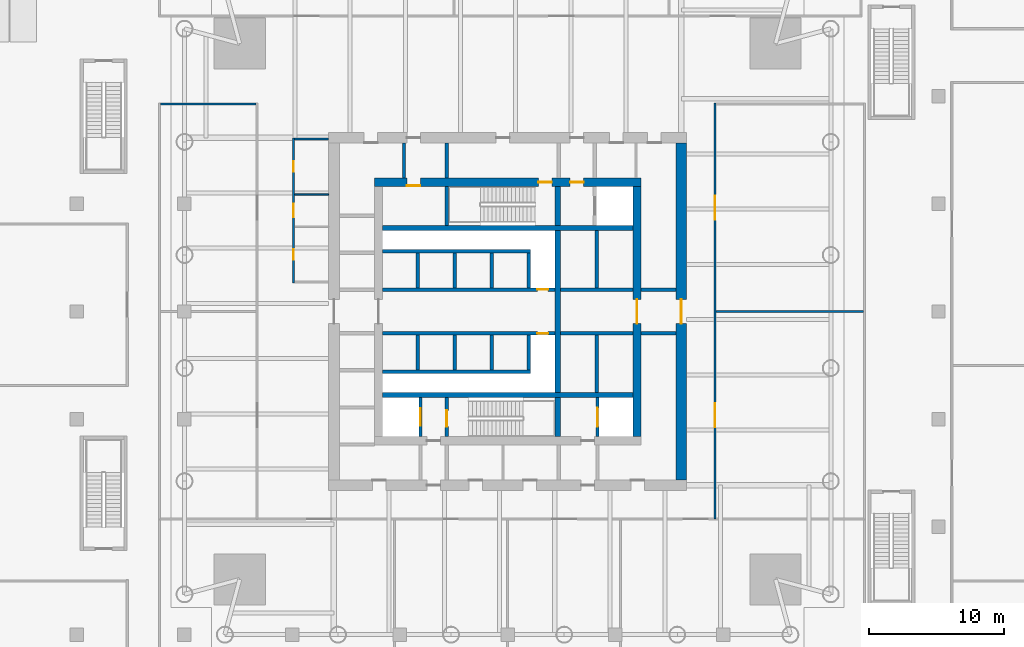
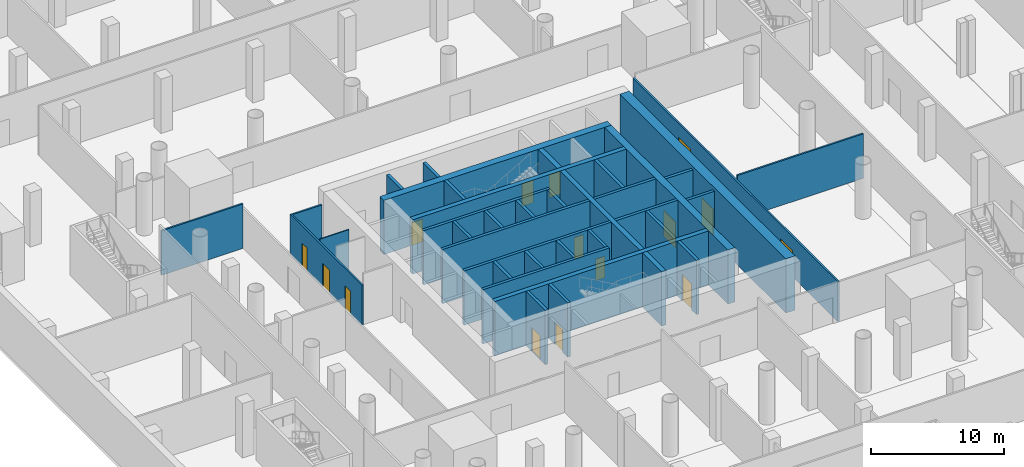
# One storey, part 9 of 22: 38 walls, 15 doors, 15 openings.
"""IFC4 building model written with IfcOpenShell, lengths in metres."""

from ifc_helpers import new_model, si_unit, direction, frame, frame_2d, origin, place, context, subcontext, project, spatial, rectangle, extrude, material, layer, layer_set, type_object, element, fill, save


model = new_model("IFC4")

# Units and contexts
model_context = context("Model", 3, precision=1e-05, world=origin(), true_north=direction((0.0, 1.0)))
body_context = subcontext(model_context, "Body", "Model", "MODEL_VIEW")
ifc_project = project(units=[si_unit("LENGTHUNIT", "METRE"), si_unit("AREAUNIT", "SQUARE_METRE"), si_unit("VOLUMEUNIT", "CUBIC_METRE"), si_unit("PLANEANGLEUNIT", "RADIAN"), si_unit("MASSUNIT", "GRAM", prefix="KILO")], contexts=[model_context])

# Site, building, storey
site_placement = place(None, origin())
site = spatial("IfcSite", under=ifc_project, at=site_placement, CompositionType="ELEMENT")
building_placement = place(site_placement, origin())
building = spatial("IfcBuilding", under=site, at=building_placement, Name="Ostroluk Exchange", CompositionType="ELEMENT")
storey_placement = place(building_placement, frame((0.0, 0.0, -5.0)))
storey = spatial("IfcBuildingStorey", under=building, at=storey_placement, Name="B1", CompositionType="ELEMENT", Elevation=-5.0)

# Walls
ifc_material_1 = material(Name="Concrete blockwork", Category="masonry")
ifc_layer_1 = layer(ifc_material_1, 0.10009765625)
ifc_layer_set_1 = layer_set([ifc_layer_1], Name="Blockwork WC wall 100")
wall_type_1 = type_object("IfcWallType", Name="Blockwork WC wall 100", PredefinedType="SOLIDWALL", material=ifc_layer_set_1)
wall_1_placement = place(storey_placement, frame((29.175048828125, 54.699951171875, 0.0), z_axis=(0.0, 0.0, 1.0), x_axis=(1.0, 0.0, 0.0)))
element("IfcWall", 1, at=wall_1_placement, inside=storey, type_object=wall_type_1, Name="Blockwork WC wall", PredefinedType="SOLIDWALL", context=body_context, shape_type="SweptSolid", body=[
    extrude(rectangle(XDim=2.52490234375, YDim=0.10009765625, at=frame_2d((1.262451171875, 0.0))), origin(), (0.0, 0.0, 1.0), 3.89990234375),
])
ifc_material_2 = material(Name="Concrete blockwork", Category="masonry")
ifc_layer_2 = layer(ifc_material_2, 0.25)
ifc_layer_set_2 = layer_set([ifc_layer_2], Name="Blockwork stair enclosure wall 250")
wall_type_2 = type_object("IfcWallType", Name="Blockwork stair enclosure wall 250", PredefinedType="SOLIDWALL", material=ifc_layer_set_2)
for number, where, z_axis, x_axis, name in (
    (2, (54.89990234375, 44.375, 0.0), (0.0, 0.0, 1.0), (1.0, 0.0, 0.0), "Lift lobby enclosure wall"),
    (3, (54.89990234375, 47.625, 0.0), (0.0, 0.0, 1.0), (1.0, 0.0, 0.0), "Lift lobby enclosure wall"),
    (4, (40.47509765625, 55.89990234375, 0.0), (0.0, 0.0, 1.0), (0.0, 1.0, 0.0), "Stair lobby enclosure wall"),
    (5, (37.300048828125, 55.89990234375, 0.0), (0.0, 0.0, 1.0), (0.0, 1.0, 0.0), "Core corridor wall"),
):
    element("IfcWall", number, at=place(storey_placement, frame(where, z_axis=z_axis, x_axis=x_axis)), inside=storey, type_object=wall_type_2, Name=name, PredefinedType="SOLIDWALL", context=body_context, shape_type="SweptSolid", body=[
        extrude(rectangle(XDim=2.60009765625, YDim=0.25, at=frame_2d((1.300048828125, 0.0))), origin(), (0.0, 0.0, 1.0), 4.699951171875),
    ])
ifc_material_3 = material(Name="Concrete C50/60", Category="concrete")
ifc_layer_3 = layer(ifc_material_3, 0.39990234375)
ifc_layer_set_3 = layer_set([ifc_layer_3], Name="Core cross wall 400 C50/60")
wall_type_3 = type_object("IfcWallType", Name="Core cross wall 400 C50/60", PredefinedType="SHEAR", material=ifc_layer_set_3)
for number, where, z_axis, x_axis, name in (
    (6, (35.699951171875, 39.800048828125, 0.0), (0.0, 0.0, 1.0), (1.0, 0.0, 0.0), "T1 core wall XS"),
    (7, (35.699951171875, 52.199951171875, 0.0), (0.0, 0.0, 1.0), (1.0, 0.0, 0.0), "T1 core wall XN"),
):
    element("IfcWall", number, at=place(storey_placement, frame(where, z_axis=z_axis, x_axis=x_axis)), inside=storey, type_object=wall_type_3, Name=name, PredefinedType="SHEAR", context=body_context, shape_type="SweptSolid", body=[
        extrude(rectangle(XDim=18.60009765625, YDim=0.39990234375, at=frame_2d((9.300048828125, 0.0))), origin(), (0.0, 0.0, 1.0), 5.0),
    ])
wall_2_placement = place(storey_placement, frame((48.72998046875, 36.699951171875, 0.0), z_axis=(0.0, 0.0, 1.0), x_axis=(0.0, 1.0, 0.0)))
element("IfcWall", 8, at=wall_2_placement, inside=storey, type_object=wall_type_3, Name="T1 core wall YE1", PredefinedType="SHEAR", context=body_context, shape_type="SweptSolid", body=[
    extrude(rectangle(XDim=2.900146484375, YDim=0.39990234375, at=frame_2d((1.4501953125, 0.0))), origin(), (0.0, 0.0, 1.0), 5.0),
])
wall_3_placement = place(storey_placement, frame((48.72998046875, 40.0, 0.0), z_axis=(0.0, 0.0, 1.0), x_axis=(0.0, 1.0, 0.0)))
element("IfcWall", 9, at=wall_3_placement, inside=storey, type_object=wall_type_3, Name="T1 core wall YE2", PredefinedType="SHEAR", context=body_context, shape_type="SweptSolid", body=[
    extrude(rectangle(XDim=12.0, YDim=0.39990234375, at=frame_2d((6.0, 0.0))), origin(), (0.0, 0.0, 1.0), 5.0),
])
wall_4_placement = place(storey_placement, frame((48.72998046875, 52.39990234375, 0.0), z_axis=(0.0, 0.0, 1.0), x_axis=(0.0, 1.0, 0.0)))
element("IfcWall", 10, at=wall_4_placement, inside=storey, type_object=wall_type_3, Name="T1 core wall YE3", PredefinedType="SHEAR", context=body_context, shape_type="SweptSolid", body=[
    extrude(rectangle(XDim=2.900146484375, YDim=0.39990234375, at=frame_2d((1.4501953125, 0.0))), origin(), (0.0, 0.0, 1.0), 5.0),
])

# Wall, opening, door
ifc_material_4 = material(Name="Concrete C40/50", Category="concrete")
ifc_layer_4 = layer(ifc_material_4, 0.25)
ifc_layer_set_4 = layer_set([ifc_layer_4], Name="Core shaft wall 250")
wall_type_4 = type_object("IfcWallType", Name="Core shaft wall 250", PredefinedType="SHEAR", material=ifc_layer_set_4)
wall_5_placement = place(storey_placement, frame((38.52490234375, 36.699951171875, 0.0), z_axis=(0.0, 0.0, 1.0), x_axis=(0.0, 1.0, 0.0)))
wall_5 = element("IfcWall", 11, at=wall_5_placement, inside=storey, type_object=wall_type_4, Name="Firefighting lift shaft wall", PredefinedType="SHEAR", context=body_context, shape_type="SweptSolid", body=[
    extrude(rectangle(XDim=2.900146484375, YDim=0.25, at=frame_2d((1.4501953125, 0.0))), origin(), (0.0, 0.0, 1.0), 5.0),
])
opening_1_placement = place(wall_5_placement, frame((0.800048828125, 0.0, 0.0)))
opening_1 = element("IfcOpeningElement", 12, at=opening_1_placement, cuts=wall_5, Name="Opening LD2", PredefinedType="OPENING", context=body_context, shape_type="SweptSolid", body=[
    extrude(rectangle(XDim=1.300048828125, YDim=2.199951171875, at=frame_2d((0.64990234375, 1.10009765625))), frame((0.0, 0.135009765625, 0.0), z_axis=(0.0, -1.0, 0.0), x_axis=(1.0, 0.0, 0.0)), (0.0, 0.0, 1.0), 0.27001953125),
])
ifc_material_5 = material(Name="Stainless steel", Category="steel")
door_type_1 = type_object("IfcDoorType", Name="Lift landing door E 60 1300 x 2200", OperationType="DOUBLE_DOOR_SLIDING", PredefinedType="DOOR", material=ifc_material_5)
door_1_placement = place(opening_1_placement, origin())
door_1 = element("IfcDoor", 13, at=door_1_placement, inside=storey, type_object=door_type_1, Name="Lift FL1 landing door", OperationType="DOUBLE_DOOR_SLIDING", OverallHeight=2.199951171875, OverallWidth=1.300048828125, PredefinedType="DOOR", context=body_context, shape_type="SweptSolid", body=[
    extrude(rectangle(XDim=1.300048828125, YDim=2.199951171875, at=frame_2d((0.64990234375, 1.10009765625))), frame((0.0, 0.02490234375, 0.0), z_axis=(0.0, -1.0, 0.0), x_axis=(1.0, 0.0, 0.0)), (0.0, 0.0, 1.0), 0.050048828125),
])
fill(opening_1, door_1)

wall_6_placement = place(storey_placement, frame((40.47509765625, 36.699951171875, 0.0), z_axis=(0.0, 0.0, 1.0), x_axis=(0.0, 1.0, 0.0)))
wall_6 = element("IfcWall", 14, at=wall_6_placement, inside=storey, type_object=wall_type_4, Name="Stair shaft wall", PredefinedType="SHEAR", context=body_context, shape_type="SweptSolid", body=[
    extrude(rectangle(XDim=2.900146484375, YDim=0.25, at=frame_2d((1.4501953125, 0.0))), origin(), (0.0, 0.0, 1.0), 5.0),
])
opening_2_placement = place(wall_6_placement, frame((0.75, 0.0, 0.0)))
opening_2 = element("IfcOpeningElement", 15, at=opening_2_placement, cuts=wall_6, Name="Opening FD60S", PredefinedType="OPENING", context=body_context, shape_type="SweptSolid", body=[
    extrude(rectangle(XDim=1.199951171875, YDim=2.10009765625, at=frame_2d((0.60009765625, 1.050048828125))), frame((0.0, 0.135009765625, 0.0), z_axis=(0.0, -1.0, 0.0), x_axis=(1.0, 0.0, 0.0)), (0.0, 0.0, 1.0), 0.27001953125),
])
ifc_material_6 = material(Name="Steel", Category="steel")
door_type_2 = type_object("IfcDoorType", Name="Stair door EI 60 1200 x 2100", OperationType="SINGLE_SWING_LEFT", PredefinedType="DOOR", material=ifc_material_6)
door_2_placement = place(opening_2_placement, origin())
door_2 = element("IfcDoor", 16, at=door_2_placement, inside=storey, type_object=door_type_2, Name="Stair T1-S1 door", OperationType="SINGLE_SWING_LEFT", OverallHeight=2.10009765625, OverallWidth=1.199951171875, PredefinedType="DOOR", context=body_context, shape_type="SweptSolid", body=[
    extrude(rectangle(XDim=1.199951171875, YDim=2.10009765625, at=frame_2d((0.60009765625, 1.050048828125))), frame((0.0, 0.02490234375, 0.0), z_axis=(0.0, -1.0, 0.0), x_axis=(1.0, 0.0, 0.0)), (0.0, 0.0, 1.0), 0.050048828125),
])
fill(opening_2, door_2)

wall_7_placement = place(storey_placement, frame((51.675048828125, 36.699951171875, 0.0), z_axis=(0.0, 0.0, 1.0), x_axis=(0.0, 1.0, 0.0)))
wall_7 = element("IfcWall", 17, at=wall_7_placement, inside=storey, type_object=wall_type_4, Name="Service lift shaft wall", PredefinedType="SHEAR", context=body_context, shape_type="SweptSolid", body=[
    extrude(rectangle(XDim=2.900146484375, YDim=0.25, at=frame_2d((1.4501953125, 0.0))), origin(), (0.0, 0.0, 1.0), 5.0),
])
opening_3_placement = place(wall_7_placement, frame((0.75, 0.0, 0.0)))
opening_3 = element("IfcOpeningElement", 18, at=opening_3_placement, cuts=wall_7, Name="Opening LD3", PredefinedType="OPENING", context=body_context, shape_type="SweptSolid", body=[
    extrude(rectangle(XDim=1.39990234375, YDim=2.39990234375, at=frame_2d((0.699951171875, 1.199951171875))), frame((0.0, 0.135009765625, 0.0), z_axis=(0.0, -1.0, 0.0), x_axis=(1.0, 0.0, 0.0)), (0.0, 0.0, 1.0), 0.27001953125),
])
ifc_material_7 = material(Name="Stainless steel", Category="steel")
door_type_3 = type_object("IfcDoorType", Name="Goods lift landing door E 60 1400 x 2400", OperationType="DOUBLE_DOOR_SLIDING", PredefinedType="DOOR", material=ifc_material_7)
door_3_placement = place(opening_3_placement, origin())
door_3 = element("IfcDoor", 19, at=door_3_placement, inside=storey, type_object=door_type_3, Name="Lift SL1 landing door", OperationType="DOUBLE_DOOR_SLIDING", OverallHeight=2.39990234375, OverallWidth=1.39990234375, PredefinedType="DOOR", context=body_context, shape_type="SweptSolid", body=[
    extrude(rectangle(XDim=1.39990234375, YDim=2.39990234375, at=frame_2d((0.699951171875, 1.199951171875))), frame((0.0, 0.02490234375, 0.0), z_axis=(0.0, -1.0, 0.0), x_axis=(1.0, 0.0, 0.0)), (0.0, 0.0, 1.0), 0.050048828125),
])
fill(opening_3, door_3)

# Walls
wall_8_placement = place(storey_placement, frame((40.47509765625, 52.39990234375, 0.0), z_axis=(0.0, 0.0, 1.0), x_axis=(0.0, 1.0, 0.0)))
element("IfcWall", 20, at=wall_8_placement, inside=storey, type_object=wall_type_4, Name="Stair shaft wall", PredefinedType="SHEAR", context=body_context, shape_type="SweptSolid", body=[
    extrude(rectangle(XDim=2.900146484375, YDim=0.25, at=frame_2d((1.4501953125, 0.0))), origin(), (0.0, 0.0, 1.0), 5.0),
])
for number, where, z_axis, x_axis, name in (
    (21, (38.324951171875, 47.75, 0.0), (0.0, 0.0, 1.0), (0.0, 1.0, 0.0), "Lift shaft wall"),
    (22, (41.074951171875, 47.75, 0.0), (0.0, 0.0, 1.0), (0.0, 1.0, 0.0), "Lift shaft wall"),
    (23, (43.824951171875, 47.75, 0.0), (0.0, 0.0, 1.0), (0.0, 1.0, 0.0), "Lift shaft wall"),
    (24, (46.574951171875, 47.75, 0.0), (0.0, 0.0, 1.0), (0.0, 1.0, 0.0), "Lift shaft wall"),
):
    element("IfcWall", number, at=place(storey_placement, frame(where, z_axis=z_axis, x_axis=x_axis)), inside=storey, type_object=wall_type_4, Name=name, PredefinedType="SHEAR", context=body_context, shape_type="SweptSolid", body=[
        extrude(rectangle(XDim=2.60009765625, YDim=0.25, at=frame_2d((1.300048828125, 0.0))), origin(), (0.0, 0.0, 1.0), 5.0),
    ])
wall_9_placement = place(storey_placement, frame((35.699951171875, 50.47509765625, 0.0), z_axis=(0.0, 0.0, 1.0), x_axis=(1.0, 0.0, 0.0)))
element("IfcWall", 25, at=wall_9_placement, inside=storey, type_object=wall_type_4, Name="Lift shaft wall", PredefinedType="SHEAR", context=body_context, shape_type="SweptSolid", body=[
    extrude(rectangle(XDim=11.0, YDim=0.25, at=frame_2d((5.5, 0.0))), origin(), (0.0, 0.0, 1.0), 5.0),
])

# Wall, opening, door
wall_10_placement = place(storey_placement, frame((35.699951171875, 47.625, 0.0), z_axis=(0.0, 0.0, 1.0), x_axis=(1.0, 0.0, 0.0)))
wall_10 = element("IfcWall", 26, at=wall_10_placement, inside=storey, type_object=wall_type_4, Name="Lift shaft front wall", PredefinedType="SHEAR", context=body_context, shape_type="SweptSolid", body=[
    extrude(rectangle(XDim=12.830078125, YDim=0.25, at=frame_2d((6.4150390625, 0.0))), origin(), (0.0, 0.0, 1.0), 5.0),
])
opening_4_placement = place(wall_10_placement, frame((11.514892578125, 0.0, 0.0)))
opening_4 = element("IfcOpeningElement", 27, at=opening_4_placement, cuts=wall_10, Name="Opening RD60", PredefinedType="OPENING", context=body_context, shape_type="SweptSolid", body=[
    extrude(rectangle(XDim=0.800048828125, YDim=2.0, at=frame_2d((0.39990234375, 1.0))), frame((0.0, 0.135009765625, 0.0), z_axis=(0.0, -1.0, 0.0), x_axis=(1.0, 0.0, 0.0)), (0.0, 0.0, 1.0), 0.27001953125),
])
ifc_material_8 = material(Name="Steel", Category="steel")
door_type_4 = type_object("IfcDoorType", Name="Riser access door EI 60 800 x 2000", OperationType="SINGLE_SWING_LEFT", PredefinedType="DOOR", material=ifc_material_8)
door_4_placement = place(opening_4_placement, origin())
door_4 = element("IfcDoor", 28, at=door_4_placement, inside=storey, type_object=door_type_4, Name="Riser access door", OperationType="SINGLE_SWING_RIGHT", OverallHeight=2.0, OverallWidth=0.800048828125, PredefinedType="DOOR", context=body_context, shape_type="SweptSolid", body=[
    extrude(rectangle(XDim=0.800048828125, YDim=2.0, at=frame_2d((0.39990234375, 1.0))), frame((0.0, 0.02490234375, 0.0), z_axis=(0.0, -1.0, 0.0), x_axis=(1.0, 0.0, 0.0)), (0.0, 0.0, 1.0), 0.050048828125),
])
fill(opening_4, door_4)

# Walls
for number, where, z_axis, x_axis, name in (
    (29, (38.324951171875, 44.25, 0.0), (0.0, 0.0, 1.0), (0.0, -1.0, 0.0), "Lift shaft wall"),
    (30, (41.074951171875, 44.25, 0.0), (0.0, 0.0, 1.0), (0.0, -1.0, 0.0), "Lift shaft wall"),
    (31, (43.824951171875, 44.25, 0.0), (0.0, 0.0, 1.0), (0.0, -1.0, 0.0), "Lift shaft wall"),
    (32, (46.574951171875, 44.25, 0.0), (0.0, 0.0, 1.0), (0.0, -1.0, 0.0), "Lift shaft wall"),
):
    element("IfcWall", number, at=place(storey_placement, frame(where, z_axis=z_axis, x_axis=x_axis)), inside=storey, type_object=wall_type_4, Name=name, PredefinedType="SHEAR", context=body_context, shape_type="SweptSolid", body=[
        extrude(rectangle(XDim=2.60009765625, YDim=0.25, at=frame_2d((1.300048828125, 0.0))), origin(), (0.0, 0.0, 1.0), 5.0),
    ])
wall_11_placement = place(storey_placement, frame((35.699951171875, 41.52490234375, 0.0), z_axis=(0.0, 0.0, 1.0), x_axis=(1.0, 0.0, 0.0)))
element("IfcWall", 33, at=wall_11_placement, inside=storey, type_object=wall_type_4, Name="Lift shaft wall", PredefinedType="SHEAR", context=body_context, shape_type="SweptSolid", body=[
    extrude(rectangle(XDim=11.0, YDim=0.25, at=frame_2d((5.5, 0.0))), origin(), (0.0, 0.0, 1.0), 5.0),
])

# Wall, opening, door
wall_12_placement = place(storey_placement, frame((35.699951171875, 44.375, 0.0), z_axis=(0.0, 0.0, 1.0), x_axis=(1.0, 0.0, 0.0)))
wall_12 = element("IfcWall", 34, at=wall_12_placement, inside=storey, type_object=wall_type_4, Name="Lift shaft front wall", PredefinedType="SHEAR", context=body_context, shape_type="SweptSolid", body=[
    extrude(rectangle(XDim=12.830078125, YDim=0.25, at=frame_2d((6.4150390625, 0.0))), origin(), (0.0, 0.0, 1.0), 5.0),
])
opening_5_placement = place(wall_12_placement, frame((11.514892578125, 0.0, 0.0)))
opening_5 = element("IfcOpeningElement", 35, at=opening_5_placement, cuts=wall_12, Name="Opening RD60", PredefinedType="OPENING", context=body_context, shape_type="SweptSolid", body=[
    extrude(rectangle(XDim=0.800048828125, YDim=2.0, at=frame_2d((0.39990234375, 1.0))), frame((0.0, 0.135009765625, 0.0), z_axis=(0.0, -1.0, 0.0), x_axis=(1.0, 0.0, 0.0)), (0.0, 0.0, 1.0), 0.27001953125),
])
door_5_placement = place(opening_5_placement, origin())
door_5 = element("IfcDoor", 36, at=door_5_placement, inside=storey, type_object=door_type_4, Name="Riser access door", OperationType="SINGLE_SWING_RIGHT", OverallHeight=2.0, OverallWidth=0.800048828125, PredefinedType="DOOR", context=body_context, shape_type="SweptSolid", body=[
    extrude(rectangle(XDim=0.800048828125, YDim=2.0, at=frame_2d((0.39990234375, 1.0))), frame((0.0, 0.02490234375, 0.0), z_axis=(0.0, -1.0, 0.0), x_axis=(1.0, 0.0, 0.0)), (0.0, 0.0, 1.0), 0.050048828125),
])
fill(opening_5, door_5)

# Walls
wall_13_placement = place(storey_placement, frame((51.614990234375, 47.75, 0.0), z_axis=(0.0, 0.0, 1.0), x_axis=(0.0, 1.0, 0.0)))
element("IfcWall", 37, at=wall_13_placement, inside=storey, type_object=wall_type_4, Name="Lift shaft wall", PredefinedType="SHEAR", context=body_context, shape_type="SweptSolid", body=[
    extrude(rectangle(XDim=4.25, YDim=0.25, at=frame_2d((2.125, 0.0))), origin(), (0.0, 0.0, 1.0), 5.0),
])
wall_14_placement = place(storey_placement, frame((48.929931640625, 47.625, 0.0), z_axis=(0.0, 0.0, 1.0), x_axis=(1.0, 0.0, 0.0)))
element("IfcWall", 38, at=wall_14_placement, inside=storey, type_object=wall_type_4, Name="Lift shaft front wall", PredefinedType="SHEAR", context=body_context, shape_type="SweptSolid", body=[
    extrude(rectangle(XDim=5.3701171875, YDim=0.25, at=frame_2d((2.68505859375, 0.0))), origin(), (0.0, 0.0, 1.0), 5.0),
])
wall_15_placement = place(storey_placement, frame((51.614990234375, 44.25, 0.0), z_axis=(0.0, 0.0, 1.0), x_axis=(0.0, -1.0, 0.0)))
element("IfcWall", 39, at=wall_15_placement, inside=storey, type_object=wall_type_4, Name="Lift shaft wall", PredefinedType="SHEAR", context=body_context, shape_type="SweptSolid", body=[
    extrude(rectangle(XDim=4.25, YDim=0.25, at=frame_2d((2.125, 0.0))), origin(), (0.0, 0.0, 1.0), 5.0),
])
wall_16_placement = place(storey_placement, frame((48.929931640625, 44.375, 0.0), z_axis=(0.0, 0.0, 1.0), x_axis=(1.0, 0.0, 0.0)))
element("IfcWall", 40, at=wall_16_placement, inside=storey, type_object=wall_type_4, Name="Lift shaft front wall", PredefinedType="SHEAR", context=body_context, shape_type="SweptSolid", body=[
    extrude(rectangle(XDim=5.3701171875, YDim=0.25, at=frame_2d((2.68505859375, 0.0))), origin(), (0.0, 0.0, 1.0), 5.0),
])

# Wall, openings, doors
ifc_material_9 = material(Name="Concrete C50/60", Category="concrete")
ifc_layer_5 = layer(ifc_material_9, 0.60009765625)
ifc_layer_set_5 = layer_set([ifc_layer_5], Name="Core wall 600 C50/60")
wall_type_5 = type_object("IfcWallType", Name="Core wall 600 C50/60", PredefinedType="SHEAR", material=ifc_layer_set_5)
wall_17_placement = place(storey_placement, frame((35.10009765625, 55.60009765625, 0.0), z_axis=(0.0, 0.0, 1.0), x_axis=(1.0, 0.0, 0.0)))
wall_17 = element("IfcWall", 41, at=wall_17_placement, inside=storey, type_object=wall_type_5, Name="T1 core wall N", PredefinedType="SHEAR", context=body_context, shape_type="SweptSolid", body=[
    extrude(rectangle(XDim=19.7998046875, YDim=0.60009765625, at=frame_2d((9.89990234375, 0.0))), origin(), (0.0, 0.0, 1.0), 5.0),
])
opening_6_placement = place(wall_17_placement, frame((14.5400390625, 0.0, 0.0)))
opening_6 = element("IfcOpeningElement", 42, at=opening_6_placement, cuts=wall_17, Name="Opening FD60", PredefinedType="OPENING", context=body_context, shape_type="SweptSolid", body=[
    extrude(rectangle(XDim=1.0, YDim=2.10009765625, at=frame_2d((0.5, 1.050048828125))), frame((0.0, 0.31005859375, 0.0), z_axis=(0.0, -1.0, 0.0), x_axis=(1.0, 0.0, 0.0)), (0.0, 0.0, 1.0), 0.6201171875),
])
opening_7_placement = place(wall_17_placement, frame((12.179931640625, 0.0, 0.0)))
opening_7 = element("IfcOpeningElement", 43, at=opening_7_placement, cuts=wall_17, Name="Opening FD60", PredefinedType="OPENING", context=body_context, shape_type="SweptSolid", body=[
    extrude(rectangle(XDim=1.0, YDim=2.10009765625, at=frame_2d((0.5, 1.050048828125))), frame((0.0, 0.31005859375, 0.0), z_axis=(0.0, -1.0, 0.0), x_axis=(1.0, 0.0, 0.0)), (0.0, 0.0, 1.0), 0.6201171875),
])
opening_8_placement = place(wall_17_placement, frame((2.425048828125, 0.0, 0.0)))
opening_8 = element("IfcOpeningElement", 44, at=opening_8_placement, cuts=wall_17, Name="Opening FD60", PredefinedType="OPENING", context=body_context, shape_type="SweptSolid", body=[
    extrude(rectangle(XDim=1.0, YDim=2.10009765625, at=frame_2d((0.5, 1.050048828125))), frame((0.0, 0.31005859375, 0.0), z_axis=(0.0, -1.0, 0.0), x_axis=(1.0, 0.0, 0.0)), (0.0, 0.0, 1.0), 0.6201171875),
])
ifc_material_10 = material(Name="Steel", Category="steel")
door_type_5 = type_object("IfcDoorType", Name="Fire door EI 60 1000 x 2100", OperationType="SINGLE_SWING_LEFT", PredefinedType="DOOR", material=ifc_material_10)
door_6_placement = place(opening_6_placement, origin())
door_6 = element("IfcDoor", 45, at=door_6_placement, inside=storey, type_object=door_type_5, Name="Firefighting lobby door", OperationType="SINGLE_SWING_RIGHT", OverallHeight=2.10009765625, OverallWidth=1.0, PredefinedType="DOOR", context=body_context, shape_type="SweptSolid", body=[
    extrude(rectangle(XDim=1.0, YDim=2.10009765625, at=frame_2d((0.5, 1.050048828125))), frame((0.0, 0.02490234375, 0.0), z_axis=(0.0, -1.0, 0.0), x_axis=(1.0, 0.0, 0.0)), (0.0, 0.0, 1.0), 0.050048828125),
])
fill(opening_6, door_6)
door_7_placement = place(opening_7_placement, origin())
door_7 = element("IfcDoor", 46, at=door_7_placement, inside=storey, type_object=door_type_5, Name="Stair T1-S2 door", OperationType="SINGLE_SWING_RIGHT", OverallHeight=2.10009765625, OverallWidth=1.0, PredefinedType="DOOR", context=body_context, shape_type="SweptSolid", body=[
    extrude(rectangle(XDim=1.0, YDim=2.10009765625, at=frame_2d((0.5, 1.050048828125))), frame((0.0, 0.02490234375, 0.0), z_axis=(0.0, -1.0, 0.0), x_axis=(1.0, 0.0, 0.0)), (0.0, 0.0, 1.0), 0.050048828125),
])
fill(opening_7, door_7)
door_8_placement = place(opening_8_placement, origin())
door_8 = element("IfcDoor", 47, at=door_8_placement, inside=storey, type_object=door_type_5, Name="Comms switch room door", OperationType="SINGLE_SWING_LEFT", OverallHeight=2.10009765625, OverallWidth=1.0, PredefinedType="DOOR", context=body_context, shape_type="SweptSolid", body=[
    extrude(rectangle(XDim=1.0, YDim=2.10009765625, at=frame_2d((0.5, 1.050048828125))), frame((0.0, -0.23974609375, 0.0), z_axis=(0.0, -1.0, 0.0), x_axis=(1.0, 0.0, 0.0)), (0.0, 0.0, 1.0), 0.050048828125),
])
fill(opening_8, door_8)

# Wall, opening, door
wall_18_placement = place(storey_placement, frame((54.60009765625, 36.699951171875, 0.0), z_axis=(0.0, 0.0, 1.0), x_axis=(0.0, 1.0, 0.0)))
wall_18 = element("IfcWall", 48, at=wall_18_placement, inside=storey, type_object=wall_type_5, Name="T1 core wall E", PredefinedType="SHEAR", context=body_context, shape_type="SweptSolid", body=[
    extrude(rectangle(XDim=18.60009765625, YDim=0.60009765625, at=frame_2d((9.300048828125, 0.0))), origin(), (0.0, 0.0, 1.0), 5.0),
])
opening_9_placement = place(wall_18_placement, frame((8.39990234375, 0.0, 0.0)))
opening_9 = element("IfcOpeningElement", 49, at=opening_9_placement, cuts=wall_18, Name="Opening FD30D", PredefinedType="OPENING", context=body_context, shape_type="SweptSolid", body=[
    extrude(rectangle(XDim=1.800048828125, YDim=2.39990234375, at=frame_2d((0.89990234375, 1.199951171875))), frame((0.0, 0.31005859375, 0.0), z_axis=(0.0, -1.0, 0.0), x_axis=(1.0, 0.0, 0.0)), (0.0, 0.0, 1.0), 0.6201171875),
])
ifc_material_11 = material(Name="Timber", Category="wood")
door_type_6 = type_object("IfcDoorType", Name="Lobby double door EI 30 1800 x 2400", OperationType="DOUBLE_DOOR_SINGLE_SWING", PredefinedType="DOOR", material=ifc_material_11)
door_9_placement = place(opening_9_placement, origin())
door_9 = element("IfcDoor", 50, at=door_9_placement, inside=storey, type_object=door_type_6, Name="Lift lobby doors", OperationType="DOUBLE_DOOR_SINGLE_SWING", OverallHeight=2.39990234375, OverallWidth=1.800048828125, PredefinedType="DOOR", context=body_context, shape_type="SweptSolid", body=[
    extrude(rectangle(XDim=1.800048828125, YDim=2.39990234375, at=frame_2d((0.89990234375, 1.199951171875))), frame((0.0, 0.02490234375, 0.0), z_axis=(0.0, -1.0, 0.0), x_axis=(1.0, 0.0, 0.0)), (0.0, 0.0, 1.0), 0.050048828125),
])
fill(opening_9, door_9)

ifc_material_12 = material(Name="Concrete C50/60", Category="concrete")
ifc_layer_6 = layer(ifc_material_12, 0.800048828125)
ifc_layer_set_6 = layer_set([ifc_layer_6], Name="Core wall 800 C50/60")
wall_type_6 = type_object("IfcWallType", Name="Core wall 800 C50/60", PredefinedType="SHEAR", material=ifc_layer_set_6)
wall_19_placement = place(storey_placement, frame((57.89990234375, 33.5, 0.0), z_axis=(0.0, 0.0, 1.0), x_axis=(0.0, 1.0, 0.0)))
wall_19 = element("IfcWall", 51, at=wall_19_placement, inside=storey, type_object=wall_type_6, Name="T1 core wall RE", PredefinedType="SHEAR", context=body_context, shape_type="SweptSolid", body=[
    extrude(rectangle(XDim=25.0, YDim=0.800048828125, at=frame_2d((12.5, 0.0))), origin(), (0.0, 0.0, 1.0), 5.0),
])
opening_10_placement = place(wall_19_placement, frame((11.60009765625, 0.0, 0.0)))
opening_10 = element("IfcOpeningElement", 52, at=opening_10_placement, cuts=wall_19, Name="Opening FD30D", PredefinedType="OPENING", context=body_context, shape_type="SweptSolid", body=[
    extrude(rectangle(XDim=1.800048828125, YDim=2.39990234375, at=frame_2d((0.89990234375, 1.199951171875))), frame((0.0, 0.409912109375, 0.0), z_axis=(0.0, -1.0, 0.0), x_axis=(1.0, 0.0, 0.0)), (0.0, 0.0, 1.0), 0.820068359375),
])
door_10_placement = place(opening_10_placement, origin())
door_10 = element("IfcDoor", 53, at=door_10_placement, inside=storey, type_object=door_type_6, Name="Lift lobby doors", OperationType="DOUBLE_DOOR_SINGLE_SWING", OverallHeight=2.39990234375, OverallWidth=1.800048828125, PredefinedType="DOOR", context=body_context, shape_type="SweptSolid", body=[
    extrude(rectangle(XDim=1.800048828125, YDim=2.39990234375, at=frame_2d((0.89990234375, 1.199951171875))), frame((0.0, 0.02490234375, 0.0), z_axis=(0.0, -1.0, 0.0), x_axis=(1.0, 0.0, 0.0)), (0.0, 0.0, 1.0), 0.050048828125),
])
fill(opening_10, door_10)

# Wall
ifc_material_13 = material(Name="Gypsum plasterboard partition", Category="gypsum")
ifc_layer_7 = layer(ifc_material_13, 0.14990234375)
ifc_layer_set_7 = layer_set([ifc_layer_7], Name="Plasterboard partition 150")
wall_type_7 = type_object("IfcWallType", Name="Plasterboard partition 150", PredefinedType="PARTITIONING", material=ifc_layer_set_7)
wall_20_placement = place(storey_placement, frame((19.22509765625, 61.39990234375, 0.0), z_axis=(0.0, 0.0, 1.0), x_axis=(1.0, 0.0, 0.0)))
element("IfcWall", 54, at=wall_20_placement, inside=storey, type_object=wall_type_7, Name="Partition", PredefinedType="PARTITIONING", context=body_context, shape_type="SweptSolid", body=[
    extrude(rectangle(XDim=7.099853515625, YDim=0.14990234375, at=frame_2d((3.5498046875, 0.0))), origin(), (0.0, 0.0, 1.0), 4.10009765625),
])

# Wall, openings, doors
wall_21_placement = place(storey_placement, frame((60.39990234375, 30.60009765625, 0.0), z_axis=(0.0, 0.0, 1.0), x_axis=(0.0, 1.0, 0.0)))
wall_21 = element("IfcWall", 55, at=wall_21_placement, inside=storey, type_object=wall_type_7, Name="Partition", PredefinedType="PARTITIONING", context=body_context, shape_type="SweptSolid", body=[
    extrude(rectangle(XDim=30.875, YDim=0.14990234375, at=frame_2d((15.4375, 0.0))), origin(), (0.0, 0.0, 1.0), 3.68798828125),
])
opening_11_placement = place(wall_21_placement, frame((6.800048828125, 0.0, 0.0)))
opening_11 = element("IfcOpeningElement", 56, at=opening_11_placement, cuts=wall_21, Name="Opening D-04", PredefinedType="OPENING", context=body_context, shape_type="SweptSolid", body=[
    extrude(rectangle(XDim=1.800048828125, YDim=2.39990234375, at=frame_2d((0.89990234375, 1.199951171875))), frame((0.0, 0.0849609375, 0.0), z_axis=(0.0, -1.0, 0.0), x_axis=(1.0, 0.0, 0.0)), (0.0, 0.0, 1.0), 0.169921875),
])
opening_12_placement = place(wall_21_placement, frame((22.199951171875, 0.0, 0.0)))
opening_12 = element("IfcOpeningElement", 57, at=opening_12_placement, cuts=wall_21, Name="Opening D-04", PredefinedType="OPENING", context=body_context, shape_type="SweptSolid", body=[
    extrude(rectangle(XDim=1.800048828125, YDim=2.39990234375, at=frame_2d((0.89990234375, 1.199951171875))), frame((0.0, 0.0849609375, 0.0), z_axis=(0.0, -1.0, 0.0), x_axis=(1.0, 0.0, 0.0)), (0.0, 0.0, 1.0), 0.169921875),
])
ifc_material_14 = material(Name="Timber", Category="wood")
door_type_7 = type_object("IfcDoorType", Name="Double door 1800 x 2400", OperationType="DOUBLE_DOOR_SINGLE_SWING", PredefinedType="DOOR", material=ifc_material_14)
door_11_placement = place(opening_11_placement, origin())
door_11 = element("IfcDoor", 58, at=door_11_placement, inside=storey, type_object=door_type_7, Name="Station control office door", OperationType="DOUBLE_DOOR_SINGLE_SWING", OverallHeight=2.39990234375, OverallWidth=1.800048828125, PredefinedType="DOOR", context=body_context, shape_type="SweptSolid", body=[
    extrude(rectangle(XDim=1.800048828125, YDim=2.39990234375, at=frame_2d((0.89990234375, 1.199951171875))), frame((0.0, 0.02490234375, 0.0), z_axis=(0.0, -1.0, 0.0), x_axis=(1.0, 0.0, 0.0)), (0.0, 0.0, 1.0), 0.050048828125),
])
fill(opening_11, door_11)
door_12_placement = place(opening_12_placement, origin())
door_12 = element("IfcDoor", 59, at=door_12_placement, inside=storey, type_object=door_type_7, Name="Metro staff room door", OperationType="DOUBLE_DOOR_SINGLE_SWING", OverallHeight=2.39990234375, OverallWidth=1.800048828125, PredefinedType="DOOR", context=body_context, shape_type="SweptSolid", body=[
    extrude(rectangle(XDim=1.800048828125, YDim=2.39990234375, at=frame_2d((0.89990234375, 1.199951171875))), frame((0.0, 0.02490234375, 0.0), z_axis=(0.0, -1.0, 0.0), x_axis=(1.0, 0.0, 0.0)), (0.0, 0.0, 1.0), 0.050048828125),
])
fill(opening_12, door_12)

# Wall
wall_22_placement = place(storey_placement, frame((60.47509765625, 46.0, 0.0), z_axis=(0.0, 0.0, 1.0), x_axis=(1.0, 0.0, 0.0)))
element("IfcWall", 60, at=wall_22_placement, inside=storey, type_object=wall_type_7, Name="Partition", PredefinedType="PARTITIONING", context=body_context, shape_type="SweptSolid", body=[
    extrude(rectangle(XDim=10.949951171875, YDim=0.14990234375, at=frame_2d((5.47509765625, 0.0))), origin(), (0.0, 0.0, 1.0), 4.10009765625),
])

# Wall, openings, doors
ifc_material_15 = material(Name="Gypsum plasterboard partition, moisture resistant", Category="gypsum")
ifc_layer_8 = layer(ifc_material_15, 0.14990234375)
ifc_layer_set_8 = layer_set([ifc_layer_8], Name="Plasterboard toilet partition 150")
wall_type_8 = type_object("IfcWallType", Name="Plasterboard toilet partition 150", PredefinedType="PARTITIONING", material=ifc_layer_set_8)
wall_23_placement = place(storey_placement, frame((29.10009765625, 58.89990234375, 0.0), z_axis=(0.0, 0.0, 1.0), x_axis=(0.0, -1.0, 0.0)))
wall_23 = element("IfcWall", 61, at=wall_23_placement, inside=storey, type_object=wall_type_8, Name="Toilet partition", PredefinedType="PARTITIONING", context=body_context, shape_type="SweptSolid", body=[
    extrude(rectangle(XDim=10.7998046875, YDim=0.14990234375, at=frame_2d((5.39990234375, 0.0))), origin(), (0.0, 0.0, 1.0), 3.68798828125),
])
opening_13_placement = place(wall_23_placement, frame((1.737548828125, 0.0, 0.0)))
opening_13 = element("IfcOpeningElement", 62, at=opening_13_placement, cuts=wall_23, Name="Opening D-06", PredefinedType="OPENING", context=body_context, shape_type="SweptSolid", body=[
    extrude(rectangle(XDim=0.800048828125, YDim=2.10009765625, at=frame_2d((0.39990234375, 1.050048828125))), frame((0.0, 0.0849609375, 0.0), z_axis=(0.0, -1.0, 0.0), x_axis=(1.0, 0.0, 0.0)), (0.0, 0.0, 1.0), 0.169921875),
])
opening_14_placement = place(wall_23_placement, frame((4.89990234375, 0.0, 0.0)))
opening_14 = element("IfcOpeningElement", 63, at=opening_14_placement, cuts=wall_23, Name="Opening D-03", PredefinedType="OPENING", context=body_context, shape_type="SweptSolid", body=[
    extrude(rectangle(XDim=1.0, YDim=2.10009765625, at=frame_2d((0.5, 1.050048828125))), frame((0.0, 0.0849609375, 0.0), z_axis=(0.0, -1.0, 0.0), x_axis=(1.0, 0.0, 0.0)), (0.0, 0.0, 1.0), 0.169921875),
])
opening_15_placement = place(wall_23_placement, frame((8.262451171875, 0.0, 0.0)))
opening_15 = element("IfcOpeningElement", 64, at=opening_15_placement, cuts=wall_23, Name="Opening D-06", PredefinedType="OPENING", context=body_context, shape_type="SweptSolid", body=[
    extrude(rectangle(XDim=0.800048828125, YDim=2.10009765625, at=frame_2d((0.39990234375, 1.050048828125))), frame((0.0, 0.0849609375, 0.0), z_axis=(0.0, -1.0, 0.0), x_axis=(1.0, 0.0, 0.0)), (0.0, 0.0, 1.0), 0.169921875),
])
ifc_material_16 = material(Name="Timber", Category="wood")
door_type_8 = type_object("IfcDoorType", Name="Internal door 1000 x 2100", OperationType="SINGLE_SWING_LEFT", PredefinedType="DOOR", material=ifc_material_16)
door_13_placement = place(opening_14_placement, origin())
door_13 = element("IfcDoor", 65, at=door_13_placement, inside=storey, type_object=door_type_8, Name="Accessible WC door", OperationType="SINGLE_SWING_RIGHT", OverallHeight=2.10009765625, OverallWidth=1.0, PredefinedType="DOOR", context=body_context, shape_type="SweptSolid", body=[
    extrude(rectangle(XDim=1.0, YDim=2.10009765625, at=frame_2d((0.5, 1.050048828125))), frame((0.0, 0.02490234375, 0.0), z_axis=(0.0, -1.0, 0.0), x_axis=(1.0, 0.0, 0.0)), (0.0, 0.0, 1.0), 0.050048828125),
])
fill(opening_14, door_13)
ifc_material_17 = material(Name="Timber", Category="wood")
door_type_9 = type_object("IfcDoorType", Name="Toilet door 800 x 2100", OperationType="SINGLE_SWING_LEFT", PredefinedType="DOOR", material=ifc_material_17)
door_14_placement = place(opening_13_placement, origin())
door_14 = element("IfcDoor", 66, at=door_14_placement, inside=storey, type_object=door_type_9, Name="WC female door", OperationType="SINGLE_SWING_LEFT", OverallHeight=2.10009765625, OverallWidth=0.800048828125, PredefinedType="DOOR", context=body_context, shape_type="SweptSolid", body=[
    extrude(rectangle(XDim=0.800048828125, YDim=2.10009765625, at=frame_2d((0.39990234375, 1.050048828125))), frame((0.0, 0.02490234375, 0.0), z_axis=(0.0, -1.0, 0.0), x_axis=(1.0, 0.0, 0.0)), (0.0, 0.0, 1.0), 0.050048828125),
])
fill(opening_13, door_14)
door_15_placement = place(opening_15_placement, origin())
door_15 = element("IfcDoor", 67, at=door_15_placement, inside=storey, type_object=door_type_9, Name="WC male door", OperationType="SINGLE_SWING_RIGHT", OverallHeight=2.10009765625, OverallWidth=0.800048828125, PredefinedType="DOOR", context=body_context, shape_type="SweptSolid", body=[
    extrude(rectangle(XDim=0.800048828125, YDim=2.10009765625, at=frame_2d((0.39990234375, 1.050048828125))), frame((0.0, 0.02490234375, 0.0), z_axis=(0.0, -1.0, 0.0), x_axis=(1.0, 0.0, 0.0)), (0.0, 0.0, 1.0), 0.050048828125),
])
fill(opening_15, door_15)

# Wall
wall_24_placement = place(storey_placement, frame((29.175048828125, 58.824951171875, 0.0), z_axis=(0.0, 0.0, 1.0), x_axis=(1.0, 0.0, 0.0)))
element("IfcWall", 68, at=wall_24_placement, inside=storey, type_object=wall_type_8, Name="Toilet partition", PredefinedType="PARTITIONING", context=body_context, shape_type="SweptSolid", body=[
    extrude(rectangle(XDim=2.52490234375, YDim=0.14990234375, at=frame_2d((1.262451171875, 0.0))), origin(), (0.0, 0.0, 1.0), 3.68798828125),
])

save(model, "model.ifc")
